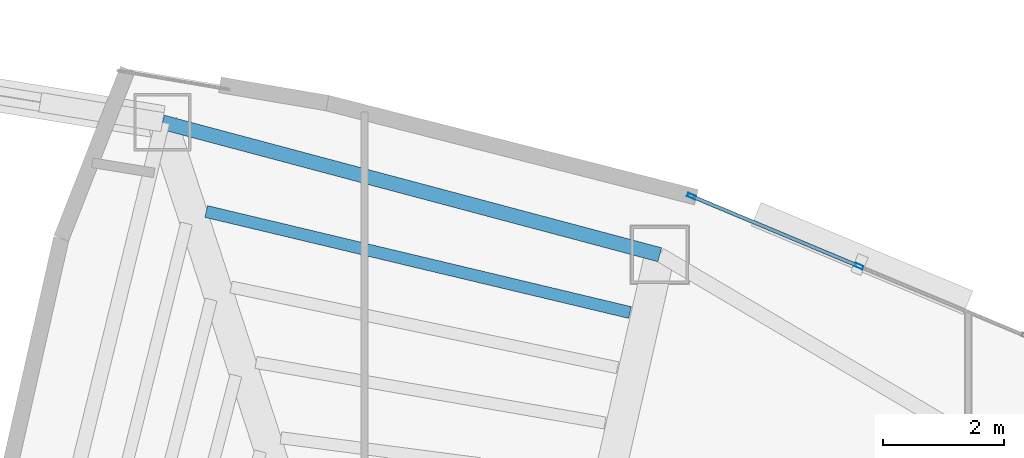
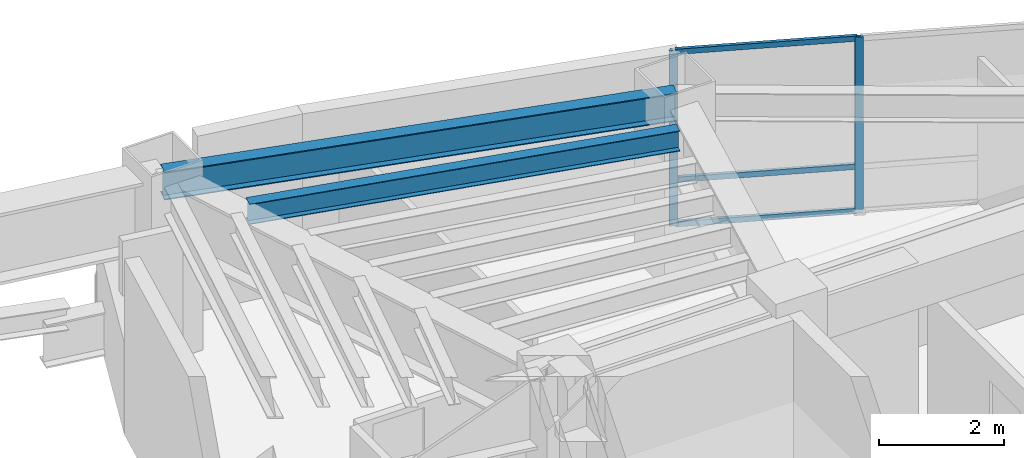
# One storey, part 7 of 14: 5 members, 2 beams, 1 element without a shape of its own.
"""IFC4 building model written with IfcOpenShell, lengths in metres."""

import ifcopenshell
import ifcopenshell.guid

model = None  # the IFC model being written
_history = None  # IfcOwnerHistory: only IFC2X3 demands one
_inside = {}  # id of a spatial element -> (the spatial element, [elements in it])
_under = {}  # id of a project, library or spatial element -> (it, [spatial elements below it])
_declared = {}  # id of a project -> (the project, [libraries it declares])
_typed = {}  # id of a type object -> (the type object, [elements of that type])
_made_of = {}  # id of a material, layer set ... -> (it, [elements and type objects made of it])


def new_model(schema):
    """Start an empty IFC model of exactly this schema.

    Asked for "IFC4X3", IfcOpenShell would pick the latest addendum, in which some entities
    have other attributes; the version numbers below select the first issue.
    IFC2X3 requires an IfcOwnerHistory on every rooted entity: one is made here for all.
    """
    global model, _history
    if schema == "IFC4X3":
        model = ifcopenshell.file(schema_version=(4, 3, 0, 0))
    else:
        model = ifcopenshell.file(schema=schema)
    _inside.clear()
    _under.clear()
    _declared.clear()
    _typed.clear()
    _made_of.clear()
    _history = None
    if model.schema == "IFC2X3":
        org = make("IfcOrganization", Name="unknown")
        user = make(
            "IfcPersonAndOrganization",
            ThePerson=make("IfcPerson", FamilyName="unknown"),
            TheOrganization=org,
        )
        app = make(
            "IfcApplication",
            ApplicationDeveloper=org,
            Version="unknown",
            ApplicationFullName="unknown",
            ApplicationIdentifier="unknown",
        )
        _history = make(
            "IfcOwnerHistory",
            OwningUser=user,
            OwningApplication=app,
            ChangeAction="ADDED",
            CreationDate=0,
        )
    return model


def make(cls, **values):
    """One entity of the class cls with the attributes given. An attribute that is None is left unset."""
    return model.create_entity(
        cls, **{name: value for name, value in values.items() if value is not None}
    )


def rooted(cls, **values):
    """An entity with a GlobalId (a new one), such as an element, a storey or a relation."""
    return make(cls, GlobalId=ifcopenshell.guid.new(), OwnerHistory=_history, **values)


def si_unit(unit_type, name, prefix=None):
    """IfcSIUnit, for example si_unit("LENGTHUNIT", "METRE", prefix="MILLI")."""
    return make("IfcSIUnit", UnitType=unit_type, Prefix=prefix, Name=name)


def assignment(units):
    """IfcUnitAssignment: the units of a project."""
    return None if units is None else make("IfcUnitAssignment", Units=units)


def point(xyz):
    """IfcCartesianPoint."""
    return None if xyz is None else make("IfcCartesianPoint", Coordinates=xyz)


def direction(xyz):
    """IfcDirection."""
    return None if xyz is None else make("IfcDirection", DirectionRatios=xyz)


def frame(location, z_axis=None, x_axis=None):
    """IfcAxis2Placement3D, a coordinate frame: its origin and axes. An axis left out is left unset."""
    return make(
        "IfcAxis2Placement3D",
        Location=point(location),
        Axis=direction(z_axis),
        RefDirection=direction(x_axis),
    )


def frame_2d(location, x_axis=None):
    """IfcAxis2Placement2D, a coordinate frame in the plane: its origin and x axis."""
    return make(
        "IfcAxis2Placement2D", Location=point(location), RefDirection=direction(x_axis)
    )


def origin():
    """The frame at (0, 0, 0) with its axes left unset."""
    return frame((0.0, 0.0, 0.0))


def origin_2d():
    """The frame at (0, 0) in the plane with its x axis left unset."""
    return frame_2d((0.0, 0.0))


def place(relative_to, where):
    """IfcLocalPlacement: puts the frame where relative to a parent placement (None: the world)."""
    return make(
        "IfcLocalPlacement", PlacementRelTo=relative_to, RelativePlacement=where
    )


def context(
    kind, dimensions, precision=None, world=None, true_north=None, identifier=None
):
    """IfcGeometricRepresentationContext, for example the 3D "Model" context."""
    return make(
        "IfcGeometricRepresentationContext",
        ContextIdentifier=identifier,
        ContextType=kind,
        CoordinateSpaceDimension=dimensions,
        Precision=precision,
        WorldCoordinateSystem=world,
        TrueNorth=true_north,
    )


def subcontext(parent, identifier, kind, view, scale=None):
    """IfcGeometricRepresentationSubContext, for example "Body" below "Model"."""
    return make(
        "IfcGeometricRepresentationSubContext",
        ContextIdentifier=identifier,
        ContextType=kind,
        ParentContext=parent,
        TargetScale=scale,
        TargetView=view,
    )


def project(units=None, contexts=None):
    """IfcProject with its units and contexts."""
    return rooted(
        "IfcProject",
        Name="project",
        RepresentationContexts=contexts,
        UnitsInContext=assignment(units),
    )


def spatial(cls, under=None, at=None, **own):
    """A site, building, storey or space (cls), placed at a placement, below another one or the project."""
    s = rooted(cls, ObjectPlacement=at, **own)
    if under is not None:
        _under.setdefault(under.id(), (under, []))[1].append(s)
    return s


def profile(cls, at=None, kind="AREA", **sizes):
    """A parametric profile (cls). Its sizes go by their IFC names, for example OverallWidth=200.0."""
    return make(cls, ProfileType=kind, Position=at, **sizes)


def hollow_rectangle(**sizes):
    """IfcRectangleHollowProfileDef."""
    return profile("IfcRectangleHollowProfileDef", **sizes)


def i_section(**sizes):
    """IfcIShapeProfileDef."""
    return profile("IfcIShapeProfileDef", **sizes)


def extrude(swept, where, along, depth):
    """IfcExtrudedAreaSolid: the profile swept, set in the frame where, extruded along a direction by depth."""
    return make(
        "IfcExtrudedAreaSolid",
        SweptArea=swept,
        Position=where,
        ExtrudedDirection=direction(along),
        Depth=depth,
    )


def shape(context_of_items, identifier, shape_type, items):
    """IfcShapeRepresentation: the items that make up one representation, for example the "Body"."""
    return make(
        "IfcShapeRepresentation",
        ContextOfItems=context_of_items,
        RepresentationIdentifier=identifier,
        RepresentationType=shape_type,
        Items=items,
    )


def material(Name=None, Category=None):
    """IfcMaterial."""
    return make("IfcMaterial", Name=Name, Category=Category)


def layer(
    of_material, thickness, ventilated=None, Name=None, Category=None, Priority=None
):
    """IfcMaterialLayer: one layer of a wall or slab, of a material (None: an air gap)."""
    return make(
        "IfcMaterialLayer",
        Material=of_material,
        LayerThickness=thickness,
        IsVentilated=ventilated,
        Name=Name,
        Category=Category,
        Priority=Priority,
    )


def layer_set(layers, Name=None):
    """IfcMaterialLayerSet."""
    return make("IfcMaterialLayerSet", MaterialLayers=layers, LayerSetName=Name)


def material_profile(
    of_material, cross_section, Name=None, Category=None, Priority=None
):
    """IfcMaterialProfile: a cross section and its material."""
    return make(
        "IfcMaterialProfile",
        Name=Name,
        Material=of_material,
        Profile=cross_section,
        Priority=Priority,
        Category=Category,
    )


def profile_set(profiles, Name=None, composite=None):
    """IfcMaterialProfileSet."""
    return make(
        "IfcMaterialProfileSet",
        Name=Name,
        MaterialProfiles=profiles,
        CompositeProfile=composite,
    )


def made_of(thing, what):
    """Note that an element or type object is made of a material, layer set ...; save() writes the relation."""
    if what is not None:
        _made_of.setdefault(what.id(), (what, []))[1].append(thing)
    return thing


def type_object(cls, material=None, **own):
    """A type object (cls), such as IfcWallType, which elements share."""
    return made_of(rooted(cls, **own), material)


def element(
    cls,
    number,
    at=None,
    inside=None,
    cuts=None,
    type_object=None,
    material=None,
    context=None,
    identifier="Body",
    shape_type=None,
    held_by="IfcProductDefinitionShape",
    body=None,
    shapes=None,
    **own,
):
    """One element of the class cls, such as IfcWall. Its Tag is "e" and its number.

    at: its placement. inside: the storey or other place that contains it. cuts: it is an
    opening in that element (IfcRelVoidsElement). A single representation is given by context,
    identifier, shape_type and body (its items); several are given by shapes. held_by: the class
    of the entity that holds the representations. save() writes the other relations.
    """
    e = rooted(cls, Tag="e%d" % number, ObjectPlacement=at, **own)
    if body is not None:
        shapes = [shape(context, identifier, shape_type, body)]
    if shapes is not None:
        e.Representation = make(held_by, Representations=shapes)
    if inside is not None:
        _inside.setdefault(inside.id(), (inside, []))[1].append(e)
    if cuts is not None:
        rooted(
            "IfcRelVoidsElement", RelatingBuildingElement=cuts, RelatedOpeningElement=e
        )
    if type_object is not None:
        _typed.setdefault(type_object.id(), (type_object, []))[1].append(e)
    return made_of(e, material)


def aggregate(whole, parts):
    """IfcRelAggregates: a whole, such as a stair, and the parts it consists of."""
    return rooted("IfcRelAggregates", RelatingObject=whole, RelatedObjects=parts)


def save(model, path):
    """Write the relations noted so far, then the file.

    IfcRelAggregates (storeys below a building ...), IfcRelContainedInSpatialStructure (elements
    in a storey), IfcRelDefinesByType, IfcRelAssociatesMaterial and IfcRelDeclares: one each for
    every whole, place, type object, material and project.
    """
    for whole, parts in _under.values():
        aggregate(whole, parts)
    for where, things in _inside.values():
        rooted(
            "IfcRelContainedInSpatialStructure",
            RelatedElements=things,
            RelatingStructure=where,
        )
    for kind, things in _typed.values():
        rooted("IfcRelDefinesByType", RelatedObjects=things, RelatingType=kind)
    for what, things in _made_of.values():
        rooted("IfcRelAssociatesMaterial", RelatedObjects=things, RelatingMaterial=what)
    for by, libraries in _declared.values():
        rooted("IfcRelDeclares", RelatingContext=by, RelatedDefinitions=libraries)
    model.write(path)


model = new_model("IFC4")

# Units and contexts
model_context = context("Model", 3, precision=1e-05, world=origin(), true_north=direction((0.0, 1.0)))
body_context = subcontext(model_context, "Body", "Model", "MODEL_VIEW")
ifc_project = project(units=[si_unit("LENGTHUNIT", "METRE"), si_unit("AREAUNIT", "SQUARE_METRE"), si_unit("VOLUMEUNIT", "CUBIC_METRE"), si_unit("PLANEANGLEUNIT", "RADIAN"), si_unit("MASSUNIT", "GRAM", prefix="KILO")], contexts=[model_context])

# Site, building, storey
site_placement = place(None, origin())
site = spatial("IfcSite", under=ifc_project, at=site_placement, CompositionType="ELEMENT")
building_placement = place(site_placement, origin())
building = spatial("IfcBuilding", under=site, at=building_placement, Name="Menara Vayukalpa", CompositionType="ELEMENT")
storey_placement = place(building_placement, frame((0.0, 0.0, 191.52001953125)))
storey = spatial("IfcBuildingStorey", under=building, at=storey_placement, Name="L48", CompositionType="ELEMENT", Elevation=191.52001953125)

# Beams
ifc_material_1 = material(Name="Steel S355", Category="steel")
ifc_material_profile_1 = material_profile(ifc_material_1, i_section(OverallWidth=0.199951171875, OverallDepth=0.39990234375, WebThickness=0.008056640625, FlangeThickness=0.012939453125, at=origin_2d()), Name="WF 400x200x8x13")
ifc_profile_set_1 = profile_set([ifc_material_profile_1], Name="Steel S355")
beam_type_1 = type_object("IfcBeamType", Name="BM-SJ2", PredefinedType="JOIST", material=ifc_profile_set_1)
beam_1_placement = place(storey_placement, frame((22.8955078125, 31.75146484375, 3.239990234375), z_axis=(-0.972730982846, 0.231936273601, 0.0), x_axis=(-0.231936273601, -0.972730982846, 0.0)))
element("IfcBeam", 1, at=beam_1_placement, inside=storey, type_object=beam_type_1, Name="L48 Secondary Floor Joist SJ03-5", PredefinedType="JOIST", context=body_context, shape_type="SweptSolid", body=[
    extrude(i_section(OverallWidth=0.199951171875, OverallDepth=0.39990234375, WebThickness=0.008056640625, FlangeThickness=0.012939453125, at=origin_2d()), origin(), (0.0, 0.0, 1.0), 7.212646484375),
])
ifc_material_2 = material(Name="Steel S355", Category="steel")
ifc_material_profile_2 = material_profile(ifc_material_2, i_section(OverallWidth=0.239990234375, OverallDepth=0.550048828125, WebThickness=0.010986328125, FlangeThickness=0.01904296875, at=origin_2d()), Name="WF 550x240x11x19")
ifc_profile_set_2 = profile_set([ifc_material_profile_2], Name="Steel S355")
beam_type_2 = type_object("IfcBeamType", Name="BM-SP2", PredefinedType="SPANDREL", material=ifc_profile_set_2)
beam_2_placement = place(storey_placement, frame((23.389404296875, 32.70849609375, 3.1650390625), z_axis=(-0.966287699272, 0.25746472037, 0.0), x_axis=(-0.25746472037, -0.966287699272, 0.0)))
element("IfcBeam", 2, at=beam_2_placement, inside=storey, type_object=beam_type_2, Name="L48 Perimeter Spandrel Beam SP03", PredefinedType="SPANDREL", context=body_context, shape_type="SweptSolid", body=[
    extrude(i_section(OverallWidth=0.239990234375, OverallDepth=0.550048828125, WebThickness=0.010986328125, FlangeThickness=0.01904296875, at=origin_2d()), origin(), (0.0, 0.0, 1.0), 8.52197265625),
])

# Curtain wall, members
ifc_material_3 = material(Name="Anodised Terracotta Aluminium Alloy 6063-T6", Category="masonry")
ifc_layer = layer(ifc_material_3, 0.139892578125)
ifc_layer_set = layer_set([ifc_layer], Name="Anodised Terracotta Aluminium Alloy 6063-T6")
curtain_wall_type = type_object("IfcCurtainWallType", Name="CW-CW5", PredefinedType="USERDEFINED", material=ifc_layer_set)
curtain_wall_placement = place(storey_placement, origin())
curtain_wall = element("IfcCurtainWall", 3, at=curtain_wall_placement, inside=storey, type_object=curtain_wall_type, Name="L48 High Rise Tapered Curtain Wall CW5 05", ObjectType="UNITISED", PredefinedType="USERDEFINED")
ifc_material_4 = material(Name="Anodised Terracotta Aluminium Alloy 6063-T6", Category="masonry")
ifc_material_profile_3 = material_profile(ifc_material_4, hollow_rectangle(XDim=0.06005859375, YDim=0.139892578125, WallThickness=0.00341796875, at=origin_2d()), Name="ALU 60x140x3.5")
ifc_profile_set_3 = profile_set([ifc_material_profile_3], Name="Anodised Terracotta Aluminium Alloy 6063-T6")
member_type_1 = type_object("IfcMemberType", Name="CWM-CW5", PredefinedType="MULLION", material=ifc_profile_set_3)
member_1_placement = place(storey_placement, frame((26.686279296875, 32.518310546875, 0.0), z_axis=(0.0, 0.0, 1.0), x_axis=(-0.385902834406, -0.922539431351, 0.0)))
member_1 = element("IfcMember", 4, at=member_1_placement, type_object=member_type_1, Name="CW5 mullion 2", PredefinedType="MULLION", context=body_context, shape_type="SweptSolid", body=[
    extrude(hollow_rectangle(XDim=0.06005859375, YDim=0.139892578125, WallThickness=0.00341796875, at=origin_2d()), origin(), (0.0, 0.0, 1.0), 3.43994140625),
])
member_2_placement = place(storey_placement, frame((23.916259765625, 33.677001953125, 0.0), z_axis=(0.0, 0.0, 1.0), x_axis=(-0.385902834406, -0.922539431351, 0.0)))
member_2 = element("IfcMember", 5, at=member_2_placement, type_object=member_type_1, Name="CW5 mullion 3", PredefinedType="MULLION", context=body_context, shape_type="SweptSolid", body=[
    extrude(hollow_rectangle(XDim=0.06005859375, YDim=0.139892578125, WallThickness=0.00341796875, at=origin_2d()), origin(), (0.0, 0.0, 1.0), 3.43994140625),
])
ifc_material_5 = material(Name="Anodised Terracotta Aluminium Alloy 6063-T6", Category="masonry")
ifc_material_profile_4 = material_profile(ifc_material_5, hollow_rectangle(XDim=0.06005859375, YDim=0.10498046875, WallThickness=0.0029296875, at=origin_2d()), Name="ALU 60x105x3")
ifc_profile_set_4 = profile_set([ifc_material_profile_4], Name="Anodised Terracotta Aluminium Alloy 6063-T6")
member_type_2 = type_object("IfcMemberType", Name="CWT-CW5", PredefinedType="USERDEFINED", material=ifc_profile_set_4)
member_3_placement = place(storey_placement, frame((26.658447265625, 32.530029296875, 0.030029296875), z_axis=(-0.922543360613, 0.385893440976, 0.0), x_axis=(-0.385893440976, -0.922543360613, 0.0)))
member_3 = element("IfcMember", 6, at=member_3_placement, type_object=member_type_2, Name="CW5 transom 2.1", ObjectType="TRANSOM", PredefinedType="USERDEFINED", context=body_context, shape_type="SweptSolid", body=[
    extrude(hollow_rectangle(XDim=0.06005859375, YDim=0.10498046875, WallThickness=0.0029296875, at=origin_2d()), origin(), (0.0, 0.0, 1.0), 2.942626953125),
])
member_4_placement = place(storey_placement, frame((26.658447265625, 32.530029296875, 0.89990234375), z_axis=(-0.922543360613, 0.385893440976, 0.0), x_axis=(-0.385893440976, -0.922543360613, 0.0)))
member_4 = element("IfcMember", 7, at=member_4_placement, type_object=member_type_2, Name="CW5 transom 2.2", ObjectType="TRANSOM", PredefinedType="USERDEFINED", context=body_context, shape_type="SweptSolid", body=[
    extrude(hollow_rectangle(XDim=0.06005859375, YDim=0.10498046875, WallThickness=0.0029296875, at=origin_2d()), origin(), (0.0, 0.0, 1.0), 2.942626953125),
])
member_5_placement = place(storey_placement, frame((26.658447265625, 32.530029296875, 3.409912109375), z_axis=(-0.922543360613, 0.385893440976, 0.0), x_axis=(-0.385893440976, -0.922543360613, 0.0)))
member_5 = element("IfcMember", 8, at=member_5_placement, type_object=member_type_2, Name="CW5 transom 2.3", ObjectType="TRANSOM", PredefinedType="USERDEFINED", context=body_context, shape_type="SweptSolid", body=[
    extrude(hollow_rectangle(XDim=0.06005859375, YDim=0.10498046875, WallThickness=0.0029296875, at=origin_2d()), origin(), (0.0, 0.0, 1.0), 2.942626953125),
])
aggregate(curtain_wall, [member_1, member_2, member_3, member_4, member_5])

save(model, "model.ifc")
